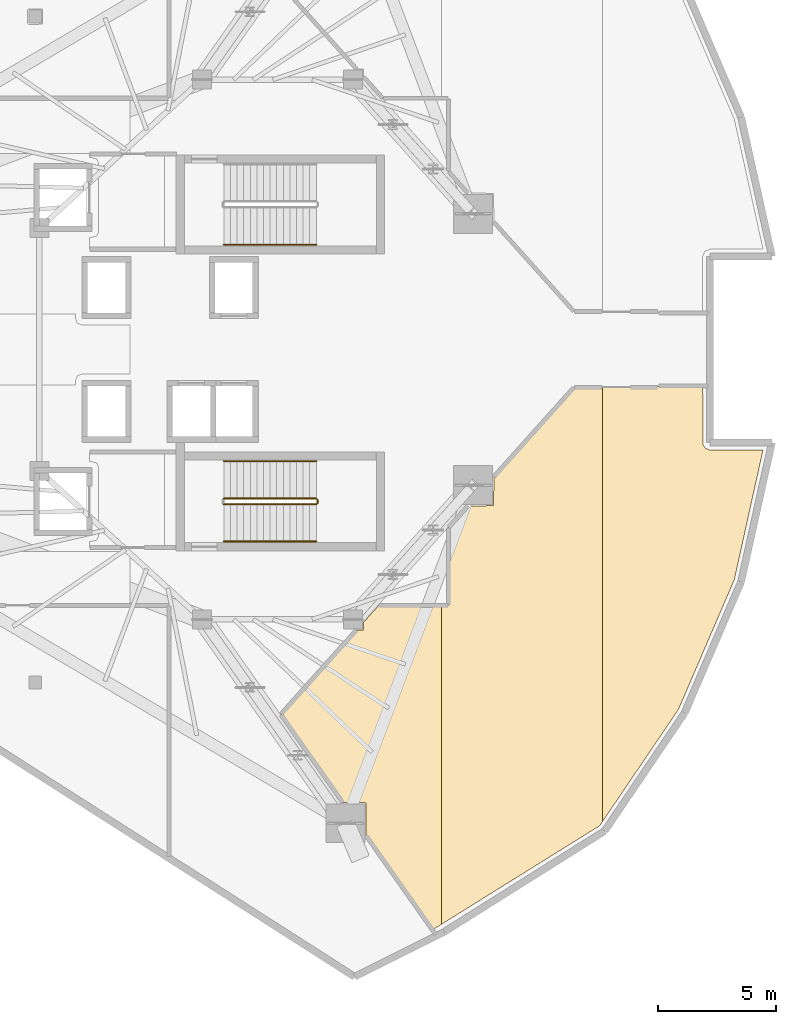
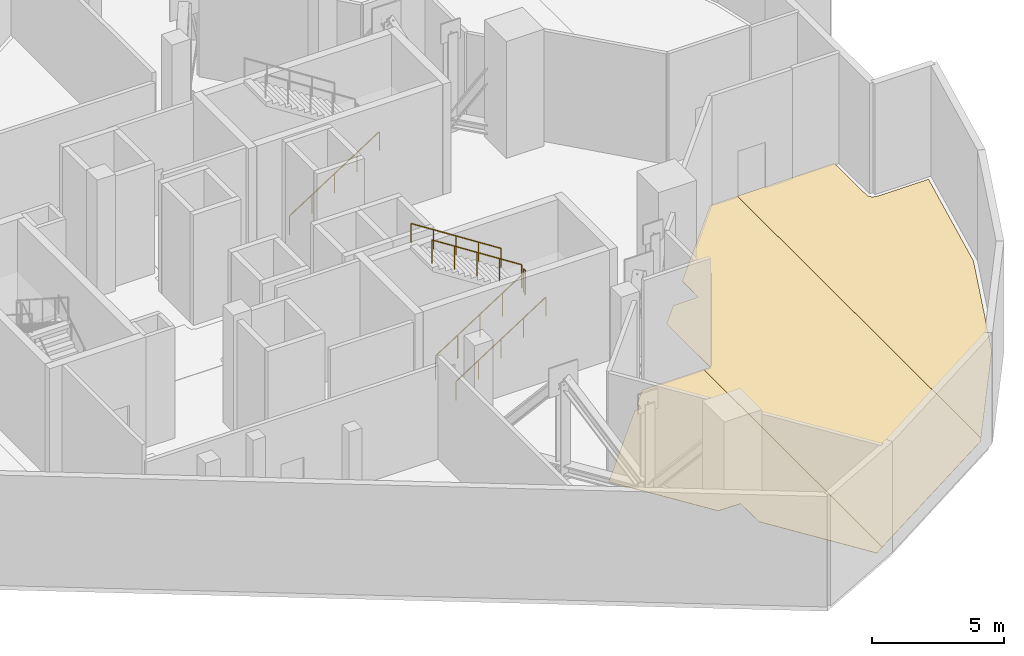
# One storey, part 7 of 9: 6 railings, 3 coverings.
"""IFC4 building model written with IfcOpenShell, lengths in metres."""

from ifc_helpers import new_model, si_unit, direction, frame, origin, origin_2d, place, context, subcontext, project, spatial, polyline, circle, outline, extrude, material, layer, layer_set, type_object, element, save


model = new_model("IFC4")

# Units and contexts
model_context = context("Model", 3, precision=1e-05, world=origin(), true_north=direction((0.0, 1.0)))
body_context = subcontext(model_context, "Body", "Model", "MODEL_VIEW")
ifc_project = project(units=[si_unit("LENGTHUNIT", "METRE"), si_unit("AREAUNIT", "SQUARE_METRE"), si_unit("VOLUMEUNIT", "CUBIC_METRE"), si_unit("PLANEANGLEUNIT", "RADIAN"), si_unit("MASSUNIT", "GRAM", prefix="KILO")], contexts=[model_context])

# Site, building, storey
site_placement = place(None, origin())
site = spatial("IfcSite", under=ifc_project, at=site_placement, CompositionType="ELEMENT")
building_placement = place(site_placement, origin())
building = spatial("IfcBuilding", under=site, at=building_placement, Name="Qorvath Tower", CompositionType="ELEMENT")
storey_placement = place(building_placement, frame((0.0, 0.0, 249.60009765625)))
storey = spatial("IfcBuildingStorey", under=building, at=storey_placement, Name="L58", CompositionType="ELEMENT", Elevation=249.60009765625)

# Coverings
ifc_material_1 = material(Name="Low-VOC modular carpet tile", Category="textile")
ifc_layer = layer(ifc_material_1, 0.014892578125)
ifc_layer_set = layer_set([ifc_layer], Name="COV-FLOOR-CPT")
covering_type = type_object("IfcCoveringType", Name="COV-FLOOR-CPT", PredefinedType="FLOORING", material=ifc_layer_set)
covering_1_placement = place(storey_placement, origin())
element("IfcCovering", 1, at=covering_1_placement, inside=storey, type_object=covering_type, Name="L58 Floor Finish 012", PredefinedType="FLOORING", context=body_context, shape_type="SweptSolid", body=[
    extrude(outline(polyline([(-13.42724609375, -24.382568359375), (-13.42724609375, -10.861572265625), (-16.10302734375, -10.863037109375), (-16.739990234375, -11.573486328125), (-16.757568359375, -11.892333984375), (-17.04150390625, -11.909912109375), (-20.244384765625, -15.482421875), (-17.6181640625, -19.216552734375), (-16.648193359375, -19.234130859375), (-16.630615234375, -20.62109375), (-13.81494140625, -24.6240234375), (-13.42724609375, -24.382568359375)])), origin(), (0.0, 0.0, 1.0), 0.014892578125),
])
covering_2_placement = place(storey_placement, origin())
element("IfcCovering", 2, at=covering_2_placement, inside=storey, type_object=covering_type, Name="L58 Floor Finish 013", PredefinedType="FLOORING", context=body_context, shape_type="SweptSolid", body=[
    extrude(outline(polyline([(-6.610107421875, -20.038330078125), (-6.610107421875, -1.600341796875), (-7.809814453125, -1.613037109375), (-11.2119140625, -5.407470703125), (-11.2294921875, -6.625244140625), (-12.3193359375, -6.642822265625), (-13.136962890625, -7.5546875), (-13.138427734375, -10.861572265625), (-13.42724609375, -10.861572265625), (-13.42724609375, -24.382568359375), (-6.726318359375, -20.209716796875), (-6.610107421875, -20.038330078125)])), origin(), (0.0, 0.0, 1.0), 0.014892578125),
])
covering_3_placement = place(storey_placement, origin())
element("IfcCovering", 3, at=covering_3_placement, inside=storey, type_object=covering_type, Name="L58 Floor Finish 014", PredefinedType="FLOORING", context=body_context, shape_type="SweptSolid", body=[
    extrude(outline(polyline([(-2.242919921875, -4.1875), (-2.340576171875, -4.039794921875), (-2.353271484375, -1.554931640625), (-6.610107421875, -1.600341796875), (-6.610107421875, -20.038330078125), (-3.3837890625, -15.275146484375), (-1.0126953125, -9.768798828125), (0.20703125, -4.2578125), (-2.077880859375, -4.25634765625), (-2.242919921875, -4.1875)])), origin(), (0.0, 0.0, 1.0), 0.014892578125),
])

# Railings
ifc_material_2 = material(Name="Painted galvanised steel", Category="steel")
railing_type_1 = type_object("IfcRailingType", Name="RL-STR-GRD", PredefinedType="GUARDRAIL", material=ifc_material_2)
railing_1_placement = place(storey_placement, frame((-22.669921875, -6.570068359375, 0.179931640625)))
element("IfcRailing", 4, at=railing_1_placement, inside=storey, type_object=railing_type_1, Name="L58 TS2 stair guard 1", PredefinedType="GUARDRAIL", context=body_context, shape_type="SweptSolid", body=[
    extrude(circle(Radius=0.02392578125, at=origin_2d()), frame((0.0, 0.0, 1.076171875), z_axis=(0.841171666519, 0.0, 0.540768182723), x_axis=(0.0, 1.0, 0.0)), (0.0, 0.0, 1.0), 4.66015625),
    extrude(circle(Radius=0.02099609375, at=origin_2d()), origin(), (0.0, 0.0, 1.0), 1.052001953125),
    extrude(circle(Radius=0.02099609375, at=origin_2d()), frame((0.97998046875, 0.0, 0.6298828125)), (0.0, 0.0, 1.0), 1.052001953125),
    extrude(circle(Radius=0.02099609375, at=origin_2d()), frame((1.9599609375, 0.0, 1.260009765625)), (0.0, 0.0, 1.0), 1.052001953125),
    extrude(circle(Radius=0.02099609375, at=origin_2d()), frame((2.93994140625, 0.0, 1.89013671875)), (0.0, 0.0, 1.0), 1.052001953125),
    extrude(circle(Radius=0.02099609375, at=origin_2d()), frame((3.919921875, 0.0, 2.52001953125)), (0.0, 0.0, 1.0), 1.052001953125),
])
railing_2_placement = place(storey_placement, frame((-18.699951171875, -6.52001953125, 2.699951171875)))
element("IfcRailing", 5, at=railing_2_placement, inside=storey, type_object=railing_type_1, Name="L58 TS2 stair guard 2", PredefinedType="GUARDRAIL", context=body_context, shape_type="SweptSolid", body=[
    extrude(circle(Radius=0.02392578125, at=origin_2d()), frame((0.0, 0.0, 1.076171875), z_axis=(0.0, 1.0, 0.0), x_axis=(-1.0, 0.0, 0.0)), (0.0, 0.0, 1.0), 0.14990234375),
    extrude(circle(Radius=0.02099609375, at=origin_2d()), origin(), (0.0, 0.0, 1.0), 1.052001953125),
    extrude(circle(Radius=0.02099609375, at=origin_2d()), frame((0.0, 0.14990234375, 0.0)), (0.0, 0.0, 1.0), 1.052001953125),
])
railing_3_placement = place(storey_placement, frame((-18.75, -6.320068359375, 2.8798828125)))
element("IfcRailing", 6, at=railing_3_placement, inside=storey, type_object=railing_type_1, Name="L58 TS2 stair guard 3", PredefinedType="GUARDRAIL", context=body_context, shape_type="SweptSolid", body=[
    extrude(circle(Radius=0.02392578125, at=origin_2d()), frame((0.0, 0.0, 1.076171875), z_axis=(-0.841171666519, 0.0, 0.540768182723), x_axis=(0.0, -1.0, 0.0)), (0.0, 0.0, 1.0), 4.66015625),
    extrude(circle(Radius=0.02099609375, at=origin_2d()), origin(), (0.0, 0.0, 1.0), 1.052001953125),
    extrude(circle(Radius=0.02099609375, at=origin_2d()), frame((-0.97998046875, 0.0, 0.6298828125)), (0.0, 0.0, 1.0), 1.052001953125),
    extrude(circle(Radius=0.02099609375, at=origin_2d()), frame((-1.9599609375, 0.0, 1.260009765625)), (0.0, 0.0, 1.0), 1.052001953125),
    extrude(circle(Radius=0.02099609375, at=origin_2d()), frame((-2.93994140625, 0.0, 1.89013671875)), (0.0, 0.0, 1.0), 1.052001953125),
    extrude(circle(Radius=0.02099609375, at=origin_2d()), frame((-3.919921875, 0.0, 2.52001953125)), (0.0, 0.0, 1.0), 1.052001953125),
])
ifc_material_3 = material(Name="Brushed stainless steel AISI 304", Category="steel")
railing_type_2 = type_object("IfcRailingType", Name="RL-STR-HND", PredefinedType="HANDRAIL", material=ifc_material_3)
for number, where, name in (
    (7, (-22.669921875, 4.449951171875, 0.179931640625), "L58 TS1 stair handrail 1"),
    (8, (-22.669921875, -8.14990234375, 0.179931640625), "L58 TS2 stair handrail 1"),
):
    element("IfcRailing", number, at=place(storey_placement, frame(where)), inside=storey, type_object=railing_type_2, Name=name, PredefinedType="HANDRAIL", context=body_context, shape_type="SweptSolid", body=[
        extrude(circle(Radius=0.02392578125, at=origin_2d()), frame((0.0, 0.0, 0.8759765625), z_axis=(0.841171666519, 0.0, 0.540768182723), x_axis=(0.0, 1.0, 0.0)), (0.0, 0.0, 1.0), 4.66015625),
        extrude(circle(Radius=0.02099609375, at=origin_2d()), origin(), (0.0, 0.0, 1.0), 0.851806640625),
        extrude(circle(Radius=0.02099609375, at=origin_2d()), frame((0.97998046875, 0.0, 0.6298828125)), (0.0, 0.0, 1.0), 0.851806640625),
        extrude(circle(Radius=0.02099609375, at=origin_2d()), frame((1.9599609375, 0.0, 1.260009765625)), (0.0, 0.0, 1.0), 0.851806640625),
        extrude(circle(Radius=0.02099609375, at=origin_2d()), frame((2.93994140625, 0.0, 1.89013671875)), (0.0, 0.0, 1.0), 0.851806640625),
        extrude(circle(Radius=0.02099609375, at=origin_2d()), frame((3.919921875, 0.0, 2.52001953125)), (0.0, 0.0, 1.0), 0.851806640625),
    ])
railing_4_placement = place(storey_placement, frame((-18.75, -4.739990234375, 2.8798828125)))
element("IfcRailing", 9, at=railing_4_placement, inside=storey, type_object=railing_type_2, Name="L58 TS2 stair handrail 2", PredefinedType="HANDRAIL", context=body_context, shape_type="SweptSolid", body=[
    extrude(circle(Radius=0.02392578125, at=origin_2d()), frame((0.0, 0.0, 0.8759765625), z_axis=(-0.841171666519, 0.0, 0.540768182723), x_axis=(0.0, -1.0, 0.0)), (0.0, 0.0, 1.0), 4.66015625),
    extrude(circle(Radius=0.02099609375, at=origin_2d()), origin(), (0.0, 0.0, 1.0), 0.851806640625),
    extrude(circle(Radius=0.02099609375, at=origin_2d()), frame((-0.97998046875, 0.0, 0.6298828125)), (0.0, 0.0, 1.0), 0.851806640625),
    extrude(circle(Radius=0.02099609375, at=origin_2d()), frame((-1.9599609375, 0.0, 1.260009765625)), (0.0, 0.0, 1.0), 0.851806640625),
    extrude(circle(Radius=0.02099609375, at=origin_2d()), frame((-2.93994140625, 0.0, 1.89013671875)), (0.0, 0.0, 1.0), 0.851806640625),
    extrude(circle(Radius=0.02099609375, at=origin_2d()), frame((-3.919921875, 0.0, 2.52001953125)), (0.0, 0.0, 1.0), 0.851806640625),
])

save(model, "model.ifc")
